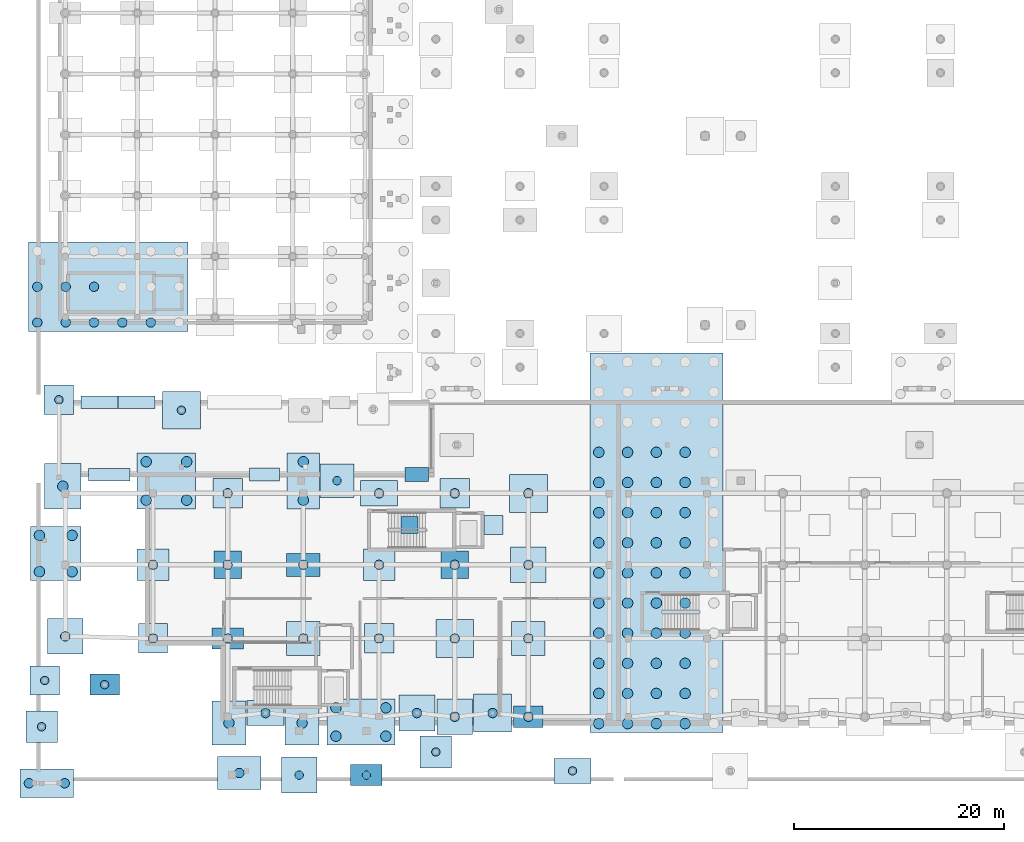
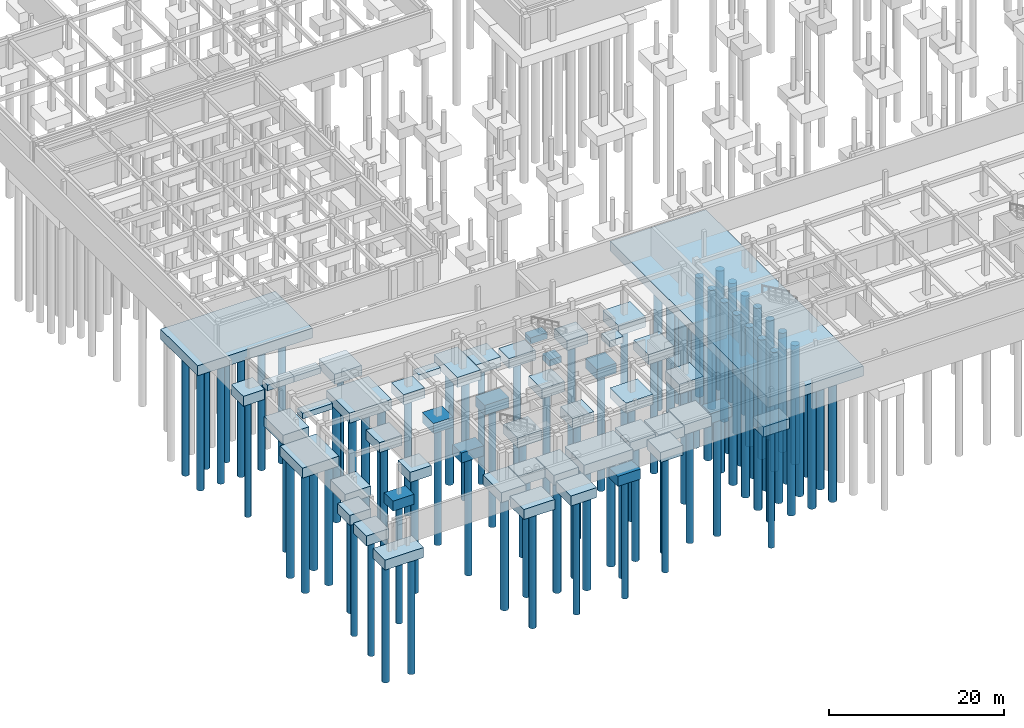
# One storey, part 1 of 22: 100 piles, 50 footings.
"""IFC4 building model written with IfcOpenShell, lengths in metres."""

import ifcopenshell
import ifcopenshell.guid

model = None  # the IFC model being written
_history = None  # IfcOwnerHistory: only IFC2X3 demands one
_inside = {}  # id of a spatial element -> (the spatial element, [elements in it])
_under = {}  # id of a project, library or spatial element -> (it, [spatial elements below it])
_declared = {}  # id of a project -> (the project, [libraries it declares])
_typed = {}  # id of a type object -> (the type object, [elements of that type])
_made_of = {}  # id of a material, layer set ... -> (it, [elements and type objects made of it])


def new_model(schema):
    """Start an empty IFC model of exactly this schema.

    Asked for "IFC4X3", IfcOpenShell would pick the latest addendum, in which some entities
    have other attributes; the version numbers below select the first issue.
    IFC2X3 requires an IfcOwnerHistory on every rooted entity: one is made here for all.
    """
    global model, _history
    if schema == "IFC4X3":
        model = ifcopenshell.file(schema_version=(4, 3, 0, 0))
    else:
        model = ifcopenshell.file(schema=schema)
    _inside.clear()
    _under.clear()
    _declared.clear()
    _typed.clear()
    _made_of.clear()
    _history = None
    if model.schema == "IFC2X3":
        org = make("IfcOrganization", Name="unknown")
        user = make(
            "IfcPersonAndOrganization",
            ThePerson=make("IfcPerson", FamilyName="unknown"),
            TheOrganization=org,
        )
        app = make(
            "IfcApplication",
            ApplicationDeveloper=org,
            Version="unknown",
            ApplicationFullName="unknown",
            ApplicationIdentifier="unknown",
        )
        _history = make(
            "IfcOwnerHistory",
            OwningUser=user,
            OwningApplication=app,
            ChangeAction="ADDED",
            CreationDate=0,
        )
    return model


def make(cls, **values):
    """One entity of the class cls with the attributes given. An attribute that is None is left unset."""
    return model.create_entity(
        cls, **{name: value for name, value in values.items() if value is not None}
    )


def rooted(cls, **values):
    """An entity with a GlobalId (a new one), such as an element, a storey or a relation."""
    return make(cls, GlobalId=ifcopenshell.guid.new(), OwnerHistory=_history, **values)


def si_unit(unit_type, name, prefix=None):
    """IfcSIUnit, for example si_unit("LENGTHUNIT", "METRE", prefix="MILLI")."""
    return make("IfcSIUnit", UnitType=unit_type, Prefix=prefix, Name=name)


def assignment(units):
    """IfcUnitAssignment: the units of a project."""
    return None if units is None else make("IfcUnitAssignment", Units=units)


def point(xyz):
    """IfcCartesianPoint."""
    return None if xyz is None else make("IfcCartesianPoint", Coordinates=xyz)


def direction(xyz):
    """IfcDirection."""
    return None if xyz is None else make("IfcDirection", DirectionRatios=xyz)


def frame(location, z_axis=None, x_axis=None):
    """IfcAxis2Placement3D, a coordinate frame: its origin and axes. An axis left out is left unset."""
    return make(
        "IfcAxis2Placement3D",
        Location=point(location),
        Axis=direction(z_axis),
        RefDirection=direction(x_axis),
    )


def frame_2d(location, x_axis=None):
    """IfcAxis2Placement2D, a coordinate frame in the plane: its origin and x axis."""
    return make(
        "IfcAxis2Placement2D", Location=point(location), RefDirection=direction(x_axis)
    )


def origin():
    """The frame at (0, 0, 0) with its axes left unset."""
    return frame((0.0, 0.0, 0.0))


def origin_2d():
    """The frame at (0, 0) in the plane with its x axis left unset."""
    return frame_2d((0.0, 0.0))


def place(relative_to, where):
    """IfcLocalPlacement: puts the frame where relative to a parent placement (None: the world)."""
    return make(
        "IfcLocalPlacement", PlacementRelTo=relative_to, RelativePlacement=where
    )


def context(
    kind, dimensions, precision=None, world=None, true_north=None, identifier=None
):
    """IfcGeometricRepresentationContext, for example the 3D "Model" context."""
    return make(
        "IfcGeometricRepresentationContext",
        ContextIdentifier=identifier,
        ContextType=kind,
        CoordinateSpaceDimension=dimensions,
        Precision=precision,
        WorldCoordinateSystem=world,
        TrueNorth=true_north,
    )


def subcontext(parent, identifier, kind, view, scale=None):
    """IfcGeometricRepresentationSubContext, for example "Body" below "Model"."""
    return make(
        "IfcGeometricRepresentationSubContext",
        ContextIdentifier=identifier,
        ContextType=kind,
        ParentContext=parent,
        TargetScale=scale,
        TargetView=view,
    )


def project(units=None, contexts=None):
    """IfcProject with its units and contexts."""
    return rooted(
        "IfcProject",
        Name="project",
        RepresentationContexts=contexts,
        UnitsInContext=assignment(units),
    )


def spatial(cls, under=None, at=None, **own):
    """A site, building, storey or space (cls), placed at a placement, below another one or the project."""
    s = rooted(cls, ObjectPlacement=at, **own)
    if under is not None:
        _under.setdefault(under.id(), (under, []))[1].append(s)
    return s


def polyline(points):
    """IfcPolyline through the points."""
    return make("IfcPolyline", Points=[point(p) for p in points])


def profile(cls, at=None, kind="AREA", **sizes):
    """A parametric profile (cls). Its sizes go by their IFC names, for example OverallWidth=200.0."""
    return make(cls, ProfileType=kind, Position=at, **sizes)


def rectangle(**sizes):
    """IfcRectangleProfileDef."""
    return profile("IfcRectangleProfileDef", **sizes)


def circle(**sizes):
    """IfcCircleProfileDef."""
    return profile("IfcCircleProfileDef", **sizes)


def outline(outer, holes=None, kind="AREA"):
    """IfcArbitraryClosedProfileDef: a profile drawn as a closed curve; with holes, ...WithVoids."""
    if holes is None:
        return make("IfcArbitraryClosedProfileDef", ProfileType=kind, OuterCurve=outer)
    return make(
        "IfcArbitraryProfileDefWithVoids",
        ProfileType=kind,
        OuterCurve=outer,
        InnerCurves=holes,
    )


def extrude(swept, where, along, depth):
    """IfcExtrudedAreaSolid: the profile swept, set in the frame where, extruded along a direction by depth."""
    return make(
        "IfcExtrudedAreaSolid",
        SweptArea=swept,
        Position=where,
        ExtrudedDirection=direction(along),
        Depth=depth,
    )


def shape(context_of_items, identifier, shape_type, items):
    """IfcShapeRepresentation: the items that make up one representation, for example the "Body"."""
    return make(
        "IfcShapeRepresentation",
        ContextOfItems=context_of_items,
        RepresentationIdentifier=identifier,
        RepresentationType=shape_type,
        Items=items,
    )


def material(Name=None, Category=None):
    """IfcMaterial."""
    return make("IfcMaterial", Name=Name, Category=Category)


def material_profile(
    of_material, cross_section, Name=None, Category=None, Priority=None
):
    """IfcMaterialProfile: a cross section and its material."""
    return make(
        "IfcMaterialProfile",
        Name=Name,
        Material=of_material,
        Profile=cross_section,
        Priority=Priority,
        Category=Category,
    )


def profile_set(profiles, Name=None, composite=None):
    """IfcMaterialProfileSet."""
    return make(
        "IfcMaterialProfileSet",
        Name=Name,
        MaterialProfiles=profiles,
        CompositeProfile=composite,
    )


def made_of(thing, what):
    """Note that an element or type object is made of a material, layer set ...; save() writes the relation."""
    if what is not None:
        _made_of.setdefault(what.id(), (what, []))[1].append(thing)
    return thing


def type_object(cls, material=None, **own):
    """A type object (cls), such as IfcWallType, which elements share."""
    return made_of(rooted(cls, **own), material)


def element(
    cls,
    number,
    at=None,
    inside=None,
    cuts=None,
    type_object=None,
    material=None,
    context=None,
    identifier="Body",
    shape_type=None,
    held_by="IfcProductDefinitionShape",
    body=None,
    shapes=None,
    **own,
):
    """One element of the class cls, such as IfcWall. Its Tag is "e" and its number.

    at: its placement. inside: the storey or other place that contains it. cuts: it is an
    opening in that element (IfcRelVoidsElement). A single representation is given by context,
    identifier, shape_type and body (its items); several are given by shapes. held_by: the class
    of the entity that holds the representations. save() writes the other relations.
    """
    e = rooted(cls, Tag="e%d" % number, ObjectPlacement=at, **own)
    if body is not None:
        shapes = [shape(context, identifier, shape_type, body)]
    if shapes is not None:
        e.Representation = make(held_by, Representations=shapes)
    if inside is not None:
        _inside.setdefault(inside.id(), (inside, []))[1].append(e)
    if cuts is not None:
        rooted(
            "IfcRelVoidsElement", RelatingBuildingElement=cuts, RelatedOpeningElement=e
        )
    if type_object is not None:
        _typed.setdefault(type_object.id(), (type_object, []))[1].append(e)
    return made_of(e, material)


def aggregate(whole, parts):
    """IfcRelAggregates: a whole, such as a stair, and the parts it consists of."""
    return rooted("IfcRelAggregates", RelatingObject=whole, RelatedObjects=parts)


def save(model, path):
    """Write the relations noted so far, then the file.

    IfcRelAggregates (storeys below a building ...), IfcRelContainedInSpatialStructure (elements
    in a storey), IfcRelDefinesByType, IfcRelAssociatesMaterial and IfcRelDeclares: one each for
    every whole, place, type object, material and project.
    """
    for whole, parts in _under.values():
        aggregate(whole, parts)
    for where, things in _inside.values():
        rooted(
            "IfcRelContainedInSpatialStructure",
            RelatedElements=things,
            RelatingStructure=where,
        )
    for kind, things in _typed.values():
        rooted("IfcRelDefinesByType", RelatedObjects=things, RelatingType=kind)
    for what, things in _made_of.values():
        rooted("IfcRelAssociatesMaterial", RelatedObjects=things, RelatingMaterial=what)
    for by, libraries in _declared.values():
        rooted("IfcRelDeclares", RelatingContext=by, RelatedDefinitions=libraries)
    model.write(path)


model = new_model("IFC4")

# Units and contexts
model_context = context("Model", 3, precision=1e-05, world=origin(), true_north=direction((0.0, 1.0)))
body_context = subcontext(model_context, "Body", "Model", "MODEL_VIEW")
ifc_project = project(units=[si_unit("LENGTHUNIT", "METRE"), si_unit("AREAUNIT", "SQUARE_METRE"), si_unit("VOLUMEUNIT", "CUBIC_METRE"), si_unit("PLANEANGLEUNIT", "RADIAN"), si_unit("MASSUNIT", "GRAM", prefix="KILO")], contexts=[model_context])

# Site, building, storey
site_placement = place(None, origin())
site = spatial("IfcSite", under=ifc_project, at=site_placement, CompositionType="ELEMENT")
building_placement = place(site_placement, origin())
building = spatial("IfcBuilding", under=site, at=building_placement, Name="Valcora Specialist Clinic", CompositionType="ELEMENT")
storey_placement = place(building_placement, frame((0.0, 0.0, -4.419921875)))
storey = spatial("IfcBuildingStorey", under=building, at=storey_placement, Name="B1", CompositionType="ELEMENT", Elevation=-4.419921875)

# Footings
ifc_material = material(Name="Concrete C35/45", Category="concrete")
footing_type_1 = type_object("IfcFootingType", Name="TY-FT-PC2600", PredefinedType="PILE_CAP", material=ifc_material)
for number, where, z_axis, x_axis, name in (
    (1, (16.199951171875, 15.199951171875, -1.400146484375), (0.0, 0.0, 1.0), (1.0, 0.0, 0.0), "Pile cap FT-PC-126"),
    (2, (37.800048828125, 15.199951171875, -1.400146484375), (0.0, 0.0, 1.0), (1.0, 0.0, 0.0), "Pile cap FT-PC-138"),
):
    element("IfcFooting", number, at=place(storey_placement, frame(where, z_axis=z_axis, x_axis=x_axis)), inside=storey, type_object=footing_type_1, Name=name, PredefinedType="PILE_CAP", context=body_context, shape_type="SweptSolid", body=[
        extrude(rectangle(XDim=2.60009765625, YDim=2.60009765625, at=origin_2d()), origin(), (0.0, 0.0, 1.0), 1.39990234375),
    ])
footing_type_2 = type_object("IfcFootingType", Name="TY-FT-PC2800", PredefinedType="PILE_CAP", material=ifc_material)
for number, where, z_axis, x_axis, name in (
    (3, (9.10009765625, 8.199951171875, -1.400146484375), (0.0, 0.0, 1.0), (1.0, 0.0, 0.0), "Pile cap FT-PC-121"),
    (4, (16.199951171875, 22.0, -1.400146484375), (0.0, 0.0, 1.0), (1.0, 0.0, 0.0), "Pile cap FT-PC-127"),
    (5, (30.60009765625, 8.199951171875, -1.400146484375), (0.0, 0.0, 1.0), (1.0, 0.0, 0.0), "Pile cap FT-PC-133"),
    (6, (37.800048828125, 22.0, -1.400146484375), (0.0, 0.0, 1.0), (1.0, 0.0, 0.0), "Pile cap FT-PC-139"),
    (7, (-1.199951171875, 4.199951171875, -1.400146484375), (0.0, 0.0, 1.0), (1.0, 0.0, 0.0), "Pile cap FT-PC-259"),
    (8, (0.14990234375, 30.89990234375, -1.400146484375), (0.0, 0.0, 1.0), (1.0, 0.0, 0.0), "Pile cap FT-PC-271"),
):
    element("IfcFooting", number, at=place(storey_placement, frame(where, z_axis=z_axis, x_axis=x_axis)), inside=storey, type_object=footing_type_2, Name=name, PredefinedType="PILE_CAP", context=body_context, shape_type="SweptSolid", body=[
        extrude(rectangle(XDim=2.800048828125, YDim=2.800048828125, at=origin_2d()), origin(), (0.0, 0.0, 1.0), 1.39990234375),
    ])
footing_type_3 = type_object("IfcFootingType", Name="TY-FT-PC2800X2000", PredefinedType="PILE_CAP", material=ifc_material)
for number, where, z_axis, x_axis, name in (
    (9, (44.800048828125, 0.75, -1.400146484375), (0.0, 0.0, 1.0), (1.0, 0.0, 0.0), "Pile cap FT-PC-140"),
    (10, (4.5, 3.800048828125, -1.400146484375), (0.0, 0.0, 1.0), (1.0, 0.0, 0.0), "Pile cap FT-PC-260"),
):
    element("IfcFooting", number, at=place(storey_placement, frame(where, z_axis=z_axis, x_axis=x_axis)), inside=storey, type_object=footing_type_3, Name=name, PredefinedType="PILE_CAP", context=body_context, shape_type="SweptSolid", body=[
        extrude(rectangle(XDim=2.800048828125, YDim=2.0, at=origin_2d()), origin(), (0.0, 0.0, 1.0), 1.39990234375),
    ])
footing_type_4 = type_object("IfcFootingType", Name="TY-FT-PC3000", PredefinedType="PILE_CAP", material=ifc_material)
for number, where, z_axis, x_axis, name in (
    (11, (9.10009765625, 15.199951171875, -1.400146484375), (0.0, 0.0, 1.0), (1.0, 0.0, 0.0), "Pile cap FT-PC-122"),
    (12, (30.60009765625, 15.199951171875, -1.400146484375), (0.0, 0.0, 1.0), (1.0, 0.0, 0.0), "Pile cap FT-PC-134"),
    (13, (-1.5, -0.199951171875, -1.400146484375), (0.0, 0.0, 1.0), (1.0, 0.0, 0.0), "Pile cap FT-PC-188"),
    (14, (36.0, -2.60009765625, -1.400146484375), (0.0, 0.0, 1.0), (1.0, 0.0, 0.0), "Pile cap FT-PC-254"),
):
    element("IfcFooting", number, at=place(storey_placement, frame(where, z_axis=z_axis, x_axis=x_axis)), inside=storey, type_object=footing_type_4, Name=name, PredefinedType="PILE_CAP", context=body_context, shape_type="SweptSolid", body=[
        extrude(rectangle(XDim=3.0, YDim=3.0, at=origin_2d()), origin(), (0.0, 0.0, 1.0), 1.39990234375),
    ])
footing_type_5 = type_object("IfcFootingType", Name="TY-FT-PC3000X2000", PredefinedType="PILE_CAP", material=ifc_material)
for number, where, z_axis, x_axis, name in (
    (15, (16.199951171875, 8.199951171875, -1.400146484375), (0.0, 0.0, 1.0), (1.0, 0.0, 0.0), "Pile cap FT-PC-125"),
    (16, (29.39990234375, -4.800048828125, -1.400146484375), (0.0, 0.0, 1.0), (1.0, 0.0, 0.0), "Pile cap FT-PC-185"),
):
    element("IfcFooting", number, at=place(storey_placement, frame(where, z_axis=z_axis, x_axis=x_axis)), inside=storey, type_object=footing_type_5, Name=name, PredefinedType="PILE_CAP", context=body_context, shape_type="SweptSolid", body=[
        extrude(rectangle(XDim=3.0, YDim=2.0, at=origin_2d()), origin(), (0.0, 0.0, 1.0), 1.39990234375),
    ])
footing_type_6 = type_object("IfcFootingType", Name="TY-FT-PC3200", PredefinedType="PILE_CAP", material=ifc_material)
for number, where, z_axis, x_axis, name in (
    (17, (23.39990234375, 8.199951171875, -1.400146484375), (0.0, 0.0, 1.0), (1.0, 0.0, 0.0), "Pile cap FT-PC-129"),
    (18, (44.800048828125, 8.199951171875, -1.400146484375), (0.0, 0.0, 1.0), (1.0, 0.0, 0.0), "Pile cap FT-PC-141"),
    (19, (26.60009765625, 23.199951171875, -1.400146484375), (0.0, 0.0, 1.0), (1.0, 0.0, 0.0), "Pile cap FT-PC-177"),
):
    element("IfcFooting", number, at=place(storey_placement, frame(where, z_axis=z_axis, x_axis=x_axis)), inside=storey, type_object=footing_type_6, Name=name, PredefinedType="PILE_CAP", context=body_context, shape_type="SweptSolid", body=[
        extrude(rectangle(XDim=3.199951171875, YDim=3.199951171875, at=origin_2d()), origin(), (0.0, 0.0, 1.0), 1.39990234375),
    ])
footing_type_7 = type_object("IfcFootingType", Name="TY-FT-PC3200X2200", PredefinedType="PILE_CAP", material=ifc_material)
footing_1_placement = place(storey_placement, frame((23.39990234375, 15.199951171875, -1.400146484375), z_axis=(0.0, 0.0, 1.0), x_axis=(1.0, 0.0, 0.0)))
element("IfcFooting", 20, at=footing_1_placement, inside=storey, type_object=footing_type_7, Name="Pile cap FT-PC-130", PredefinedType="PILE_CAP", context=body_context, shape_type="SweptSolid", body=[
    extrude(rectangle(XDim=3.199951171875, YDim=2.199951171875, at=origin_2d()), origin(), (0.0, 0.0, 1.0), 1.39990234375),
])
footing_type_8 = type_object("IfcFootingType", Name="TY-FT-PC3400", PredefinedType="PILE_CAP", material=ifc_material)
for number, where, z_axis, x_axis, name in (
    (21, (0.75, 8.39990234375, -1.400146484375), (0.0, 0.0, 1.0), (1.0, 0.0, 0.0), "Pile cap FT-PC-118"),
    (22, (37.800048828125, 0.75, -1.400146484375), (0.0, 0.0, 1.0), (1.0, 0.0, 0.0), "Pile cap FT-PC-136"),
    (23, (44.800048828125, 15.199951171875, -1.400146484375), (0.0, 0.0, 1.0), (1.0, 0.0, 0.0), "Pile cap FT-PC-142"),
    (24, (23.0, -4.800048828125, -1.400146484375), (0.0, 0.0, 1.0), (1.0, 0.0, 0.0), "Pile cap FT-PC-184"),
    (25, (34.199951171875, 1.10009765625, -1.400146484375), (0.0, 0.0, 1.0), (1.0, 0.0, 0.0), "Pile cap FT-PC-196"),
):
    element("IfcFooting", number, at=place(storey_placement, frame(where, z_axis=z_axis, x_axis=x_axis)), inside=storey, type_object=footing_type_8, Name=name, PredefinedType="PILE_CAP", context=body_context, shape_type="SweptSolid", body=[
        extrude(rectangle(XDim=3.39990234375, YDim=3.39990234375, at=origin_2d()), origin(), (0.0, 0.0, 1.0), 1.39990234375),
    ])
footing_type_9 = type_object("IfcFootingType", Name="TY-FT-PC3500X2400", PredefinedType="PILE_CAP", material=ifc_material)
for number, where, z_axis, x_axis, name in (
    (26, (30.60009765625, 22.0, -1.400146484375), (0.0, 0.0, 1.0), (1.0, 0.0, 0.0), "Pile cap FT-PC-135"),
    (27, (19.800048828125, 1.10009765625, -1.400146484375), (0.0, 0.0, 1.0), (1.0, 0.0, 0.0), "Pile cap FT-PC-195"),
    (28, (49.0, -4.39990234375, -1.400146484375), (0.0, 0.0, 1.0), (1.0, 0.0, 0.0), "Pile cap FT-PC-255"),
):
    element("IfcFooting", number, at=place(storey_placement, frame(where, z_axis=z_axis, x_axis=x_axis)), inside=storey, type_object=footing_type_9, Name=name, PredefinedType="PILE_CAP", context=body_context, shape_type="SweptSolid", body=[
        extrude(rectangle(XDim=3.5, YDim=2.39990234375, at=origin_2d()), origin(), (0.0, 0.0, 1.0), 1.39990234375),
    ])
footing_type_10 = type_object("IfcFootingType", Name="TY-FT-PC3600", PredefinedType="PILE_CAP", material=ifc_material)
for number, where, z_axis, x_axis, name in (
    (29, (37.800048828125, 8.199951171875, -1.400146484375), (0.0, 0.0, 1.0), (1.0, 0.0, 0.0), "Pile cap FT-PC-137"),
    (30, (44.800048828125, 22.0, -1.400146484375), (0.0, 0.0, 1.0), (1.0, 0.0, 0.0), "Pile cap FT-PC-143"),
    (31, (41.39990234375, 1.10009765625, -1.400146484375), (0.0, 0.0, 1.0), (1.0, 0.0, 0.0), "Pile cap FT-PC-197"),
    (32, (11.800048828125, 29.89990234375, -1.400146484375), (0.0, 0.0, 1.0), (1.0, 0.0, 0.0), "Pile cap FT-PC-269"),
):
    element("IfcFooting", number, at=place(storey_placement, frame(where, z_axis=z_axis, x_axis=x_axis)), inside=storey, type_object=footing_type_10, Name=name, PredefinedType="PILE_CAP", context=body_context, shape_type="SweptSolid", body=[
        extrude(rectangle(XDim=3.60009765625, YDim=3.60009765625, at=origin_2d()), origin(), (0.0, 0.0, 1.0), 1.39990234375),
    ])
footing_type_11 = type_object("IfcFootingType", Name="TY-FT-PC4200X2800", PredefinedType="PILE_CAP", material=ifc_material)
footing_2_placement = place(storey_placement, frame((0.0, 0.0, -1.400146484375)))
element("IfcFooting", 33, at=footing_2_placement, inside=storey, type_object=footing_type_11, Name="Combined pile cap FT-PC-120", PredefinedType="PILE_CAP", context=body_context, shape_type="SweptSolid", body=[
    extrude(outline(polyline([(-1.199951171875, 20.5), (2.25, 20.5), (2.25, 24.85009765625), (-1.199951171875, 24.85009765625), (-1.199951171875, 20.5)])), origin(), (0.0, 0.0, 1.0), 1.400146484375),
])
footing_3_placement = place(storey_placement, frame((0.0, 0.0, -1.400146484375)))
element("IfcFooting", 34, at=footing_3_placement, inside=storey, type_object=footing_type_11, Name="Combined pile cap FT-PC-123", PredefinedType="PILE_CAP", context=body_context, shape_type="SweptSolid", body=[
    extrude(outline(polyline([(7.60009765625, 20.5), (13.14990234375, 20.5), (13.14990234375, 25.85009765625), (7.60009765625, 25.85009765625), (7.60009765625, 20.5)])), origin(), (0.0, 0.0, 1.0), 1.400146484375),
])
footing_4_placement = place(storey_placement, frame((0.0, 0.0, -1.400146484375)))
element("IfcFooting", 35, at=footing_4_placement, inside=storey, type_object=footing_type_11, Name="Combined pile cap FT-PC-132", PredefinedType="PILE_CAP", context=body_context, shape_type="SweptSolid", body=[
    extrude(outline(polyline([(25.64990234375, -1.949951171875), (32.10009765625, -1.949951171875), (32.10009765625, 2.449951171875), (25.64990234375, 2.449951171875), (25.64990234375, -1.949951171875)])), origin(), (0.0, 0.0, 1.0), 1.400146484375),
])
footing_5_placement = place(storey_placement, frame((0.0, 0.0, -1.400146484375)))
element("IfcFooting", 36, at=footing_5_placement, inside=storey, type_object=footing_type_11, Name="Combined pile cap FT-PC-144", PredefinedType="PILE_CAP", context=body_context, shape_type="SweptSolid", body=[
    extrude(outline(polyline([(50.64990234375, -0.75), (63.300048828125, -0.75), (63.300048828125, 35.35009765625), (50.64990234375, 35.35009765625), (50.64990234375, -0.75)])), origin(), (0.0, 0.0, 1.0), 1.400146484375),
])
footing_6_placement = place(storey_placement, frame((0.0, 0.0, -1.400146484375)))
element("IfcFooting", 37, at=footing_6_placement, inside=storey, type_object=footing_type_11, Name="Combined pile cap FT-PC-183", PredefinedType="PILE_CAP", context=body_context, shape_type="SweptSolid", body=[
    extrude(outline(polyline([(15.25, -6.14990234375), (19.35009765625, -6.14990234375), (19.35009765625, -3.050048828125), (15.25, -3.050048828125), (15.25, -6.14990234375)])), origin(), (0.0, 0.0, 1.0), 1.400146484375),
])
footing_type_12 = type_object("IfcFootingType", Name="TY-FT-PC4500X3000", PredefinedType="PILE_CAP", material=ifc_material)
footing_7_placement = place(storey_placement, frame((0.0, 0.0, -1.400146484375)))
element("IfcFooting", 38, at=footing_7_placement, inside=storey, type_object=footing_type_12, Name="Combined pile cap FT-PC-001", PredefinedType="PILE_CAP", context=body_context, shape_type="SweptSolid", body=[
    extrude(outline(polyline([(-2.75, 37.39990234375), (12.429931640625, 37.39990234375), (12.429931640625, 45.885986328125), (-2.75, 45.885986328125), (-2.75, 37.39990234375)])), origin(), (0.0, 0.0, 1.0), 1.400146484375),
])
footing_8_placement = place(storey_placement, frame((0.0, 0.0, -1.400146484375)))
element("IfcFooting", 39, at=footing_8_placement, inside=storey, type_object=footing_type_12, Name="Combined pile cap FT-PC-124", PredefinedType="PILE_CAP", context=body_context, shape_type="SweptSolid", body=[
    extrude(outline(polyline([(14.699951171875, -1.949951171875), (17.949951171875, -1.949951171875), (17.949951171875, 2.25), (14.699951171875, 2.25), (14.699951171875, -1.949951171875)])), origin(), (0.0, 0.0, 1.0), 1.400146484375),
])
footing_9_placement = place(storey_placement, frame((0.0, 0.0, -1.400146484375)))
element("IfcFooting", 40, at=footing_9_placement, inside=storey, type_object=footing_type_12, Name="Combined pile cap FT-PC-187", PredefinedType="PILE_CAP", context=body_context, shape_type="SweptSolid", body=[
    extrude(outline(polyline([(-3.550048828125, -6.949951171875), (1.550048828125, -6.949951171875), (1.550048828125, -4.199951171875), (-3.550048828125, -4.199951171875), (-3.550048828125, -6.949951171875)])), origin(), (0.0, 0.0, 1.0), 1.400146484375),
])
footing_type_13 = type_object("IfcFootingType", Name="TY-FT-PC4800X3200", PredefinedType="PILE_CAP", material=ifc_material)
footing_10_placement = place(storey_placement, frame((0.0, 0.0, -1.400146484375)))
element("IfcFooting", 41, at=footing_10_placement, inside=storey, type_object=footing_type_13, Name="Combined pile cap FT-PC-119", PredefinedType="PILE_CAP", context=body_context, shape_type="SweptSolid", body=[
    extrude(outline(polyline([(-2.550048828125, 13.699951171875), (2.25, 13.699951171875), (2.25, 18.85009765625), (-2.550048828125, 18.85009765625), (-2.550048828125, 13.699951171875)])), origin(), (0.0, 0.0, 1.0), 1.400146484375),
])
footing_11_placement = place(storey_placement, frame((0.0, 0.0, -1.400146484375)))
element("IfcFooting", 42, at=footing_11_placement, inside=storey, type_object=footing_type_13, Name="Combined pile cap FT-PC-128", PredefinedType="PILE_CAP", context=body_context, shape_type="SweptSolid", body=[
    extrude(outline(polyline([(21.64990234375, -1.949951171875), (24.89990234375, -1.949951171875), (24.89990234375, 2.25), (21.64990234375, 2.25), (21.64990234375, -1.949951171875)])), origin(), (0.0, 0.0, 1.0), 1.400146484375),
])
footing_12_placement = place(storey_placement, frame((0.0, 0.0, -1.400146484375)))
element("IfcFooting", 43, at=footing_12_placement, inside=storey, type_object=footing_type_13, Name="Combined pile cap FT-PC-131", PredefinedType="PILE_CAP", context=body_context, shape_type="SweptSolid", body=[
    extrude(outline(polyline([(21.85009765625, 20.5), (24.949951171875, 20.5), (24.949951171875, 25.85009765625), (21.85009765625, 25.85009765625), (21.85009765625, 20.5)])), origin(), (0.0, 0.0, 1.0), 1.400146484375),
])
footing_type_14 = type_object("IfcFootingType", Name="TY-FT-PD1600", PredefinedType="PAD_FOOTING", material=ifc_material)
footing_13_placement = place(storey_placement, frame((33.5, 19.0, -0.85009765625), z_axis=(0.0, 0.0, 1.0), x_axis=(1.0, 0.0, 0.0)))
element("IfcFooting", 44, at=footing_13_placement, inside=storey, type_object=footing_type_14, Name="Equipment pad footing FT-PAD-01", PredefinedType="PAD_FOOTING", context=body_context, shape_type="SweptSolid", body=[
    extrude(rectangle(XDim=1.60009765625, YDim=1.60009765625, at=origin_2d()), origin(), (0.0, 0.0, 1.0), 0.85009765625),
])
footing_type_15 = type_object("IfcFootingType", Name="TY-FT-PD1800", PredefinedType="PAD_FOOTING", material=ifc_material)
footing_14_placement = place(storey_placement, frame((41.5, 19.0, -0.900146484375), z_axis=(0.0, 0.0, 1.0), x_axis=(1.0, 0.0, 0.0)))
element("IfcFooting", 45, at=footing_14_placement, inside=storey, type_object=footing_type_15, Name="Equipment pad footing FT-PAD-02", PredefinedType="PAD_FOOTING", context=body_context, shape_type="SweptSolid", body=[
    extrude(rectangle(XDim=1.800048828125, YDim=1.800048828125, at=origin_2d()), origin(), (0.0, 0.0, 1.0), 0.89990234375),
])
footing_type_16 = type_object("IfcFootingType", Name="TY-FT-SF5600", PredefinedType="STRIP_FOOTING", material=ifc_material)
footing_15_placement = place(storey_placement, frame((4.925048828125, 23.784912109375, -0.80029296875), z_axis=(0.0, 0.0, 1.0), x_axis=(1.0, 0.0, 0.0)))
element("IfcFooting", 46, at=footing_15_placement, inside=storey, type_object=footing_type_16, Name="Strip footing FT-STR-001", PredefinedType="STRIP_FOOTING", context=body_context, shape_type="SweptSolid", body=[
    extrude(rectangle(XDim=3.949951171875, YDim=1.199951171875, at=origin_2d()), origin(), (0.0, 0.0, 1.0), 0.800048828125),
])
for number, where, z_axis, x_axis, name in (
    (47, (4.012939453125, 30.64990234375, -0.80029296875), (0.0, 0.0, 1.0), (1.0, 0.0, 0.0), "Strip footing FT-STR-004"),
    (48, (7.5380859375, 30.64990234375, -0.80029296875), (0.0, 0.0, 1.0), (1.0, 0.0, 0.0), "Strip footing FT-STR-005"),
):
    element("IfcFooting", number, at=place(storey_placement, frame(where, z_axis=z_axis, x_axis=x_axis)), inside=storey, type_object=footing_type_16, Name=name, PredefinedType="STRIP_FOOTING", context=body_context, shape_type="SweptSolid", body=[
        extrude(rectangle(XDim=3.52490234375, YDim=1.199951171875, at=origin_2d()), origin(), (0.0, 0.0, 1.0), 0.800048828125),
    ])
footing_type_17 = type_object("IfcFootingType", Name="TY-FT-SF6800", PredefinedType="STRIP_FOOTING", material=ifc_material)
footing_16_placement = place(storey_placement, frame((19.72509765625, 23.784912109375, -0.8203125), z_axis=(0.0, 0.0, 1.0), x_axis=(1.0, 0.0, 0.0)))
element("IfcFooting", 49, at=footing_16_placement, inside=storey, type_object=footing_type_17, Name="Strip footing FT-STR-002", PredefinedType="STRIP_FOOTING", context=body_context, shape_type="SweptSolid", body=[
    extrude(rectangle(XDim=2.85009765625, YDim=1.25, at=origin_2d()), origin(), (0.0, 0.0, 1.0), 0.820068359375),
])
footing_type_18 = type_object("IfcFootingType", Name="TY-FT-SF7800", PredefinedType="STRIP_FOOTING", material=ifc_material)
footing_17_placement = place(storey_placement, frame((34.175048828125, 23.784912109375, -0.85009765625), z_axis=(0.0, 0.0, 1.0), x_axis=(1.0, 0.0, 0.0)))
element("IfcFooting", 50, at=footing_17_placement, inside=storey, type_object=footing_type_18, Name="Strip footing FT-STR-003", PredefinedType="STRIP_FOOTING", context=body_context, shape_type="SweptSolid", body=[
    extrude(rectangle(XDim=2.25, YDim=1.300048828125, at=origin_2d()), origin(), (0.0, 0.0, 1.0), 0.85009765625),
])

# Piles
ifc_material_profile_1 = material_profile(ifc_material, circle(Radius=0.5, at=origin_2d()), Name="RC-PIL-D1000")
ifc_profile_set_1 = profile_set([ifc_material_profile_1], Name="Concrete C35/45")
pile_type_1 = type_object("IfcPileType", Name="TY-PL-B1000", PredefinedType="BORED", material=ifc_profile_set_1)
for number, where, z_axis, x_axis, name in (
    (51, (-1.699951171875, 14.550048828125, -1.300048828125), (0.0, 0.0, -1.0), (1.0, 0.0, 0.0), "Bored pile PL-FT-PC-119-01"),
    (52, (-1.699951171875, 18.0, -1.300048828125), (0.0, 0.0, -1.0), (1.0, 0.0, 0.0), "Bored pile PL-FT-PC-119-02"),
    (53, (1.39990234375, 14.550048828125, -1.300048828125), (0.0, 0.0, -1.0), (1.0, 0.0, 0.0), "Bored pile PL-FT-PC-119-03"),
    (54, (1.39990234375, 18.0, -1.300048828125), (0.0, 0.0, -1.0), (1.0, 0.0, 0.0), "Bored pile PL-FT-PC-119-04"),
    (55, (0.52490234375, 22.675048828125, -1.300048828125), (0.0, 0.0, -1.0), (1.0, 0.0, 0.0), "Bored pile PL-FT-PC-120-01"),
    (56, (8.449951171875, 21.35009765625, -1.300048828125), (0.0, 0.0, -1.0), (1.0, 0.0, 0.0), "Bored pile PL-FT-PC-123-01"),
    (57, (8.449951171875, 25.0, -1.300048828125), (0.0, 0.0, -1.0), (1.0, 0.0, 0.0), "Bored pile PL-FT-PC-123-02"),
    (58, (12.300048828125, 21.35009765625, -1.300048828125), (0.0, 0.0, -1.0), (1.0, 0.0, 0.0), "Bored pile PL-FT-PC-123-03"),
    (59, (12.300048828125, 25.0, -1.300048828125), (0.0, 0.0, -1.0), (1.0, 0.0, 0.0), "Bored pile PL-FT-PC-123-04"),
    (60, (16.324951171875, 0.14990234375, -1.300048828125), (0.0, 0.0, -1.0), (1.0, 0.0, 0.0), "Bored pile PL-FT-PC-124-01"),
    (61, (23.27490234375, 0.14990234375, -1.300048828125), (0.0, 0.0, -1.0), (1.0, 0.0, 0.0), "Bored pile PL-FT-PC-128-01"),
    (62, (23.39990234375, 21.35009765625, -1.300048828125), (0.0, 0.0, -1.0), (1.0, 0.0, 0.0), "Bored pile PL-FT-PC-131-01"),
    (63, (23.39990234375, 25.0, -1.300048828125), (0.0, 0.0, -1.0), (1.0, 0.0, 0.0), "Bored pile PL-FT-PC-131-02"),
    (64, (26.5, -1.10009765625, -1.300048828125), (0.0, 0.0, -1.0), (1.0, 0.0, 0.0), "Bored pile PL-FT-PC-132-01"),
    (65, (26.5, 1.60009765625, -1.300048828125), (0.0, 0.0, -1.0), (1.0, 0.0, 0.0), "Bored pile PL-FT-PC-132-02"),
    (66, (31.25, -1.10009765625, -1.300048828125), (0.0, 0.0, -1.0), (1.0, 0.0, 0.0), "Bored pile PL-FT-PC-132-03"),
    (67, (31.25, 1.60009765625, -1.300048828125), (0.0, 0.0, -1.0), (1.0, 0.0, 0.0), "Bored pile PL-FT-PC-132-04"),
    (68, (51.5, 0.10009765625, -1.300048828125), (0.0, 0.0, -1.0), (1.0, 0.0, 0.0), "Bored pile PL-FT-PC-144-01"),
    (69, (51.5, 2.967041015625, -1.300048828125), (0.0, 0.0, -1.0), (1.0, 0.0, 0.0), "Bored pile PL-FT-PC-144-02"),
    (70, (51.5, 5.8330078125, -1.300048828125), (0.0, 0.0, -1.0), (1.0, 0.0, 0.0), "Bored pile PL-FT-PC-144-03"),
    (71, (51.5, 8.699951171875, -1.300048828125), (0.0, 0.0, -1.0), (1.0, 0.0, 0.0), "Bored pile PL-FT-PC-144-04"),
    (72, (51.5, 11.56689453125, -1.300048828125), (0.0, 0.0, -1.0), (1.0, 0.0, 0.0), "Bored pile PL-FT-PC-144-05"),
    (73, (51.5, 14.43310546875, -1.300048828125), (0.0, 0.0, -1.0), (1.0, 0.0, 0.0), "Bored pile PL-FT-PC-144-06"),
    (74, (51.5, 17.300048828125, -1.300048828125), (0.0, 0.0, -1.0), (1.0, 0.0, 0.0), "Bored pile PL-FT-PC-144-07"),
    (75, (51.5, 20.1669921875, -1.300048828125), (0.0, 0.0, -1.0), (1.0, 0.0, 0.0), "Bored pile PL-FT-PC-144-08"),
    (76, (51.5, 23.032958984375, -1.300048828125), (0.0, 0.0, -1.0), (1.0, 0.0, 0.0), "Bored pile PL-FT-PC-144-09"),
    (77, (51.5, 25.89990234375, -1.300048828125), (0.0, 0.0, -1.0), (1.0, 0.0, 0.0), "Bored pile PL-FT-PC-144-10"),
    (78, (54.237060546875, 0.10009765625, -1.300048828125), (0.0, 0.0, -1.0), (1.0, 0.0, 0.0), "Bored pile PL-FT-PC-144-14"),
    (79, (54.237060546875, 2.967041015625, -1.300048828125), (0.0, 0.0, -1.0), (1.0, 0.0, 0.0), "Bored pile PL-FT-PC-144-15"),
    (80, (54.237060546875, 5.8330078125, -1.300048828125), (0.0, 0.0, -1.0), (1.0, 0.0, 0.0), "Bored pile PL-FT-PC-144-16"),
    (81, (54.237060546875, 8.699951171875, -1.300048828125), (0.0, 0.0, -1.0), (1.0, 0.0, 0.0), "Bored pile PL-FT-PC-144-17"),
    (82, (54.237060546875, 11.56689453125, -1.300048828125), (0.0, 0.0, -1.0), (1.0, 0.0, 0.0), "Bored pile PL-FT-PC-144-18"),
    (83, (54.237060546875, 14.43310546875, -1.300048828125), (0.0, 0.0, -1.0), (1.0, 0.0, 0.0), "Bored pile PL-FT-PC-144-19"),
    (84, (54.237060546875, 17.300048828125, -1.300048828125), (0.0, 0.0, -1.0), (1.0, 0.0, 0.0), "Bored pile PL-FT-PC-144-20"),
    (85, (54.237060546875, 20.1669921875, -1.300048828125), (0.0, 0.0, -1.0), (1.0, 0.0, 0.0), "Bored pile PL-FT-PC-144-21"),
    (86, (54.237060546875, 23.032958984375, -1.300048828125), (0.0, 0.0, -1.0), (1.0, 0.0, 0.0), "Bored pile PL-FT-PC-144-22"),
    (87, (54.237060546875, 25.89990234375, -1.300048828125), (0.0, 0.0, -1.0), (1.0, 0.0, 0.0), "Bored pile PL-FT-PC-144-23"),
    (88, (56.97509765625, 0.10009765625, -1.300048828125), (0.0, 0.0, -1.0), (1.0, 0.0, 0.0), "Bored pile PL-FT-PC-144-27"),
    (89, (56.97509765625, 2.967041015625, -1.300048828125), (0.0, 0.0, -1.0), (1.0, 0.0, 0.0), "Bored pile PL-FT-PC-144-28"),
    (90, (56.97509765625, 5.8330078125, -1.300048828125), (0.0, 0.0, -1.0), (1.0, 0.0, 0.0), "Bored pile PL-FT-PC-144-29"),
    (91, (56.97509765625, 8.699951171875, -1.300048828125), (0.0, 0.0, -1.0), (1.0, 0.0, 0.0), "Bored pile PL-FT-PC-144-30"),
    (92, (56.97509765625, 11.56689453125, -1.300048828125), (0.0, 0.0, -1.0), (1.0, 0.0, 0.0), "Bored pile PL-FT-PC-144-31"),
    (93, (56.97509765625, 14.43310546875, -1.300048828125), (0.0, 0.0, -1.0), (1.0, 0.0, 0.0), "Bored pile PL-FT-PC-144-32"),
    (94, (56.97509765625, 17.300048828125, -1.300048828125), (0.0, 0.0, -1.0), (1.0, 0.0, 0.0), "Bored pile PL-FT-PC-144-33"),
    (95, (56.97509765625, 20.1669921875, -1.300048828125), (0.0, 0.0, -1.0), (1.0, 0.0, 0.0), "Bored pile PL-FT-PC-144-34"),
    (96, (56.97509765625, 23.032958984375, -1.300048828125), (0.0, 0.0, -1.0), (1.0, 0.0, 0.0), "Bored pile PL-FT-PC-144-35"),
    (97, (56.97509765625, 25.89990234375, -1.300048828125), (0.0, 0.0, -1.0), (1.0, 0.0, 0.0), "Bored pile PL-FT-PC-144-36"),
    (98, (59.7119140625, 0.10009765625, -1.300048828125), (0.0, 0.0, -1.0), (1.0, 0.0, 0.0), "Bored pile PL-FT-PC-144-40"),
    (99, (59.7119140625, 2.967041015625, -1.300048828125), (0.0, 0.0, -1.0), (1.0, 0.0, 0.0), "Bored pile PL-FT-PC-144-41"),
    (100, (59.7119140625, 5.8330078125, -1.300048828125), (0.0, 0.0, -1.0), (1.0, 0.0, 0.0), "Bored pile PL-FT-PC-144-42"),
    (101, (59.7119140625, 8.699951171875, -1.300048828125), (0.0, 0.0, -1.0), (1.0, 0.0, 0.0), "Bored pile PL-FT-PC-144-43"),
    (102, (59.7119140625, 11.56689453125, -1.300048828125), (0.0, 0.0, -1.0), (1.0, 0.0, 0.0), "Bored pile PL-FT-PC-144-44"),
    (103, (59.7119140625, 14.43310546875, -1.300048828125), (0.0, 0.0, -1.0), (1.0, 0.0, 0.0), "Bored pile PL-FT-PC-144-45"),
    (104, (59.7119140625, 17.300048828125, -1.300048828125), (0.0, 0.0, -1.0), (1.0, 0.0, 0.0), "Bored pile PL-FT-PC-144-46"),
    (105, (59.7119140625, 20.1669921875, -1.300048828125), (0.0, 0.0, -1.0), (1.0, 0.0, 0.0), "Bored pile PL-FT-PC-144-47"),
    (106, (59.7119140625, 23.032958984375, -1.300048828125), (0.0, 0.0, -1.0), (1.0, 0.0, 0.0), "Bored pile PL-FT-PC-144-48"),
    (107, (59.7119140625, 25.89990234375, -1.300048828125), (0.0, 0.0, -1.0), (1.0, 0.0, 0.0), "Bored pile PL-FT-PC-144-49"),
):
    element("IfcPile", number, at=place(storey_placement, frame(where, z_axis=z_axis, x_axis=x_axis)), inside=storey, type_object=pile_type_1, Name=name, PredefinedType="BORED", context=body_context, shape_type="SweptSolid", body=[
        extrude(circle(Radius=0.5, at=origin_2d()), origin(), (0.0, 0.0, 1.0), 16.699951171875),
    ])
ifc_material_profile_2 = material_profile(ifc_material, circle(Radius=0.39990234375, at=origin_2d()), Name="RC-PIL-D800")
ifc_profile_set_2 = profile_set([ifc_material_profile_2], Name="Concrete C35/45")
pile_type_2 = type_object("IfcPileType", Name="TY-PL-B800", PredefinedType="BORED", material=ifc_profile_set_2)
for number, where, z_axis, x_axis, name in (
    (108, (26.60009765625, 23.199951171875, -1.300048828125), (0.0, 0.0, -1.0), (1.0, 0.0, 0.0), "Bored pile PL-FT-PC-177-01"),
    (109, (23.0, -4.800048828125, -1.300048828125), (0.0, 0.0, -1.0), (1.0, 0.0, 0.0), "Bored pile PL-FT-PC-184-01"),
    (110, (29.39990234375, -4.800048828125, -1.300048828125), (0.0, 0.0, -1.0), (1.0, 0.0, 0.0), "Bored pile PL-FT-PC-185-01"),
    (111, (-1.5, -0.199951171875, -1.300048828125), (0.0, 0.0, -1.0), (1.0, 0.0, 0.0), "Bored pile PL-FT-PC-188-01"),
    (112, (36.0, -2.60009765625, -1.300048828125), (0.0, 0.0, -1.0), (1.0, 0.0, 0.0), "Bored pile PL-FT-PC-254-01"),
    (113, (49.0, -4.39990234375, -1.300048828125), (0.0, 0.0, -1.0), (1.0, 0.0, 0.0), "Bored pile PL-FT-PC-255-01"),
    (114, (-1.199951171875, 4.199951171875, -1.300048828125), (0.0, 0.0, -1.0), (1.0, 0.0, 0.0), "Bored pile PL-FT-PC-259-01"),
    (115, (4.5, 3.800048828125, -1.300048828125), (0.0, 0.0, -1.0), (1.0, 0.0, 0.0), "Bored pile PL-FT-PC-260-01"),
    (116, (11.800048828125, 29.89990234375, -1.300048828125), (0.0, 0.0, -1.0), (1.0, 0.0, 0.0), "Bored pile PL-FT-PC-269-01"),
    (117, (0.14990234375, 30.89990234375, -1.300048828125), (0.0, 0.0, -1.0), (1.0, 0.0, 0.0), "Bored pile PL-FT-PC-271-01"),
):
    element("IfcPile", number, at=place(storey_placement, frame(where, z_axis=z_axis, x_axis=x_axis)), inside=storey, type_object=pile_type_2, Name=name, PredefinedType="BORED", context=body_context, shape_type="SweptSolid", body=[
        extrude(circle(Radius=0.39990234375, at=origin_2d()), origin(), (0.0, 0.0, 1.0), 16.699951171875),
    ])
ifc_material_profile_3 = material_profile(ifc_material, circle(Radius=0.449951171875, at=origin_2d()), Name="RC-PIL-D900")
ifc_profile_set_3 = profile_set([ifc_material_profile_3], Name="Concrete C35/45")
pile_type_3 = type_object("IfcPileType", Name="TY-PL-B900", PredefinedType="BORED", material=ifc_profile_set_3)
for number, where, z_axis, x_axis, name in (
    (118, (-1.89990234375, 38.25, -1.300048828125), (0.0, 0.0, -1.0), (1.0, 0.0, 0.0), "Bored pile PL-FT-PC-001-01"),
    (119, (-1.89990234375, 41.64306640625, -1.300048828125), (0.0, 0.0, -1.0), (1.0, 0.0, 0.0), "Bored pile PL-FT-PC-001-02"),
    (120, (0.7958984375, 38.25, -1.300048828125), (0.0, 0.0, -1.0), (1.0, 0.0, 0.0), "Bored pile PL-FT-PC-001-04"),
    (121, (0.7958984375, 41.64306640625, -1.300048828125), (0.0, 0.0, -1.0), (1.0, 0.0, 0.0), "Bored pile PL-FT-PC-001-05"),
    (122, (3.491943359375, 38.25, -1.300048828125), (0.0, 0.0, -1.0), (1.0, 0.0, 0.0), "Bored pile PL-FT-PC-001-07"),
    (123, (3.491943359375, 41.64306640625, -1.300048828125), (0.0, 0.0, -1.0), (1.0, 0.0, 0.0), "Bored pile PL-FT-PC-001-08"),
    (124, (6.18798828125, 38.25, -1.300048828125), (0.0, 0.0, -1.0), (1.0, 0.0, 0.0), "Bored pile PL-FT-PC-001-10"),
    (125, (8.884033203125, 38.25, -1.300048828125), (0.0, 0.0, -1.0), (1.0, 0.0, 0.0), "Bored pile PL-FT-PC-001-13"),
    (126, (0.75, 8.39990234375, -1.300048828125), (0.0, 0.0, -1.0), (1.0, 0.0, 0.0), "Bored pile PL-FT-PC-118-01"),
    (127, (9.10009765625, 8.199951171875, -1.300048828125), (0.0, 0.0, -1.0), (1.0, 0.0, 0.0), "Bored pile PL-FT-PC-121-01"),
    (128, (9.10009765625, 15.199951171875, -1.300048828125), (0.0, 0.0, -1.0), (1.0, 0.0, 0.0), "Bored pile PL-FT-PC-122-01"),
    (129, (16.199951171875, 8.199951171875, -1.300048828125), (0.0, 0.0, -1.0), (1.0, 0.0, 0.0), "Bored pile PL-FT-PC-125-01"),
    (130, (16.199951171875, 15.199951171875, -1.300048828125), (0.0, 0.0, -1.0), (1.0, 0.0, 0.0), "Bored pile PL-FT-PC-126-01"),
    (131, (16.199951171875, 22.0, -1.300048828125), (0.0, 0.0, -1.0), (1.0, 0.0, 0.0), "Bored pile PL-FT-PC-127-01"),
    (132, (23.39990234375, 8.199951171875, -1.300048828125), (0.0, 0.0, -1.0), (1.0, 0.0, 0.0), "Bored pile PL-FT-PC-129-01"),
    (133, (23.39990234375, 15.199951171875, -1.300048828125), (0.0, 0.0, -1.0), (1.0, 0.0, 0.0), "Bored pile PL-FT-PC-130-01"),
    (134, (30.60009765625, 8.199951171875, -1.300048828125), (0.0, 0.0, -1.0), (1.0, 0.0, 0.0), "Bored pile PL-FT-PC-133-01"),
    (135, (30.60009765625, 15.199951171875, -1.300048828125), (0.0, 0.0, -1.0), (1.0, 0.0, 0.0), "Bored pile PL-FT-PC-134-01"),
    (136, (30.60009765625, 22.0, -1.300048828125), (0.0, 0.0, -1.0), (1.0, 0.0, 0.0), "Bored pile PL-FT-PC-135-01"),
    (137, (37.800048828125, 0.75, -1.300048828125), (0.0, 0.0, -1.0), (1.0, 0.0, 0.0), "Bored pile PL-FT-PC-136-01"),
    (138, (37.800048828125, 8.199951171875, -1.300048828125), (0.0, 0.0, -1.0), (1.0, 0.0, 0.0), "Bored pile PL-FT-PC-137-01"),
    (139, (37.800048828125, 15.199951171875, -1.300048828125), (0.0, 0.0, -1.0), (1.0, 0.0, 0.0), "Bored pile PL-FT-PC-138-01"),
    (140, (37.800048828125, 22.0, -1.300048828125), (0.0, 0.0, -1.0), (1.0, 0.0, 0.0), "Bored pile PL-FT-PC-139-01"),
    (141, (44.800048828125, 0.75, -1.300048828125), (0.0, 0.0, -1.0), (1.0, 0.0, 0.0), "Bored pile PL-FT-PC-140-01"),
    (142, (44.800048828125, 8.199951171875, -1.300048828125), (0.0, 0.0, -1.0), (1.0, 0.0, 0.0), "Bored pile PL-FT-PC-141-01"),
    (143, (44.800048828125, 15.199951171875, -1.300048828125), (0.0, 0.0, -1.0), (1.0, 0.0, 0.0), "Bored pile PL-FT-PC-142-01"),
    (144, (44.800048828125, 22.0, -1.300048828125), (0.0, 0.0, -1.0), (1.0, 0.0, 0.0), "Bored pile PL-FT-PC-143-01"),
    (145, (17.300048828125, -4.60009765625, -1.300048828125), (0.0, 0.0, -1.0), (1.0, 0.0, 0.0), "Bored pile PL-FT-PC-183-01"),
    (146, (-2.699951171875, -5.574951171875, -1.300048828125), (0.0, 0.0, -1.0), (1.0, 0.0, 0.0), "Bored pile PL-FT-PC-187-01"),
    (147, (0.699951171875, -5.574951171875, -1.300048828125), (0.0, 0.0, -1.0), (1.0, 0.0, 0.0), "Bored pile PL-FT-PC-187-02"),
    (148, (19.800048828125, 1.10009765625, -1.300048828125), (0.0, 0.0, -1.0), (1.0, 0.0, 0.0), "Bored pile PL-FT-PC-195-01"),
    (149, (34.199951171875, 1.10009765625, -1.300048828125), (0.0, 0.0, -1.0), (1.0, 0.0, 0.0), "Bored pile PL-FT-PC-196-01"),
    (150, (41.39990234375, 1.10009765625, -1.300048828125), (0.0, 0.0, -1.0), (1.0, 0.0, 0.0), "Bored pile PL-FT-PC-197-01"),
):
    element("IfcPile", number, at=place(storey_placement, frame(where, z_axis=z_axis, x_axis=x_axis)), inside=storey, type_object=pile_type_3, Name=name, PredefinedType="BORED", context=body_context, shape_type="SweptSolid", body=[
        extrude(circle(Radius=0.449951171875, at=origin_2d()), origin(), (0.0, 0.0, 1.0), 16.699951171875),
    ])

save(model, "model.ifc")
